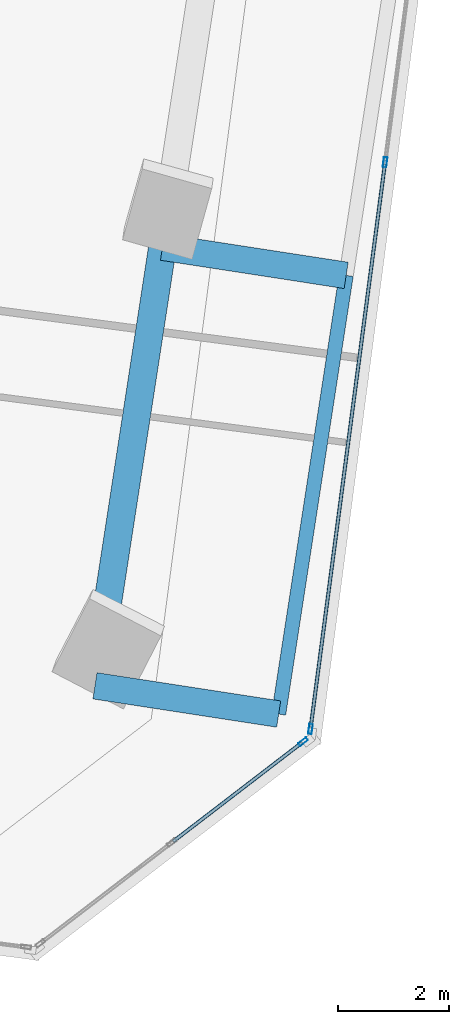
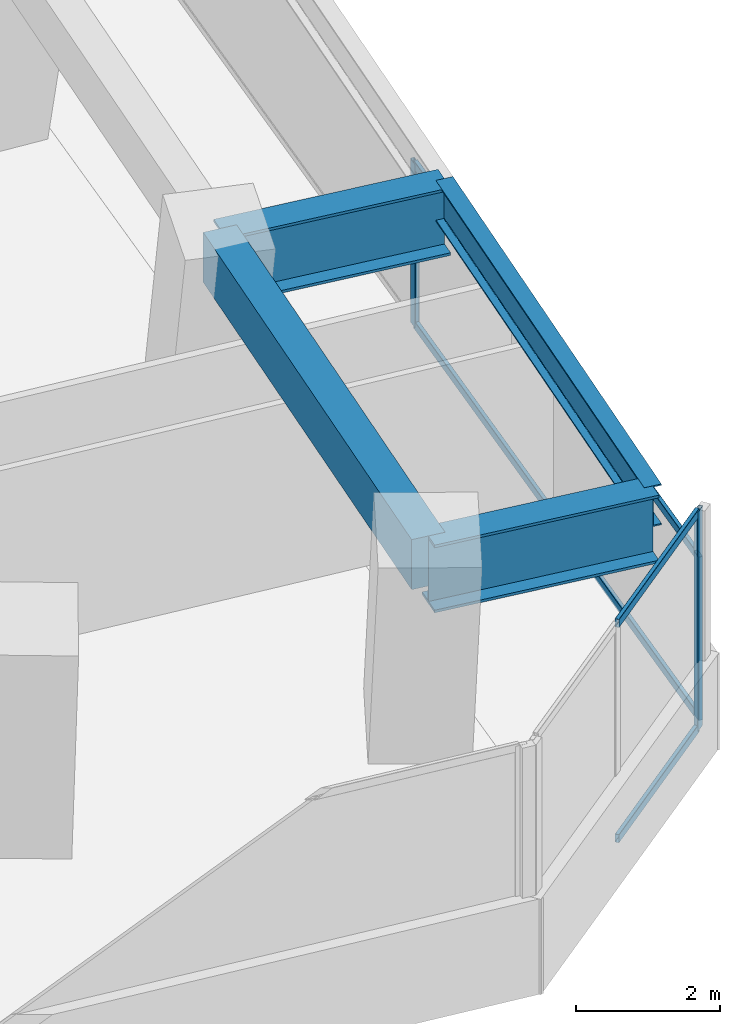
# One storey, part 11 of 24: 7 members, 4 beams, 2 elements without a shape of their own.
"""IFC4 building model written with IfcOpenShell, lengths in metres."""

from ifc_helpers import new_model, si_unit, direction, frame, origin, origin_2d, place, context, subcontext, project, spatial, rectangle, hollow_rectangle, i_section, extrude, source, transform, mapped, material, material_profile, profile_set, type_object, element, aggregate, save


model = new_model("IFC4")

# Units and contexts
model_context = context("Model", 3, precision=1e-05, world=origin(), true_north=direction((0.0, 1.0)))
body_context = subcontext(model_context, "Body", "Model", "MODEL_VIEW")
ifc_project = project(units=[si_unit("LENGTHUNIT", "METRE"), si_unit("AREAUNIT", "SQUARE_METRE"), si_unit("VOLUMEUNIT", "CUBIC_METRE"), si_unit("PLANEANGLEUNIT", "RADIAN"), si_unit("MASSUNIT", "GRAM", prefix="KILO")], contexts=[model_context])

# Site, building, storey
site_placement = place(None, origin())
site = spatial("IfcSite", under=ifc_project, at=site_placement, CompositionType="ELEMENT")
building_placement = place(site_placement, origin())
building = spatial("IfcBuilding", under=site, at=building_placement, Name="Torre Montelarca", CompositionType="ELEMENT")
storey_placement = place(building_placement, frame((0.0, 0.0, 66.39990234375)))
storey = spatial("IfcBuildingStorey", under=building, at=storey_placement, Name="L14", CompositionType="ELEMENT", Elevation=66.39990234375)

# Beams
ifc_material_1 = material(Name="Concrete C55/67", Category="concrete")
ifc_material_profile_1 = material_profile(ifc_material_1, rectangle(XDim=0.5, YDim=0.85009765625, at=origin_2d()), Name="RCB500X850", Category="concrete")
ifc_profile_set_1 = profile_set([ifc_material_profile_1], Name="Concrete C55/67")
beam_type_1 = type_object("IfcBeamType", Name="BM-SP-RC850-EXT", PredefinedType="SPANDREL", material=ifc_profile_set_1)
shared_shape_1 = source(origin(), body_context, "Body", "SweptSolid", [
    extrude(rectangle(XDim=0.5, YDim=0.85009765625, at=origin_2d()), origin(), (0.0, 0.0, 1.0), 8.0),
])
beam_1_placement = place(storey_placement, frame((58.3349609375, 18.236328125, 3.53515625), z_axis=(0.152128273075, 0.988360758292, 0.0), x_axis=(-0.988360758292, 0.152128273075, 0.0)))
element("IfcBeam", 1, at=beam_1_placement, inside=storey, type_object=beam_type_1, Name="L14 Grid Girder Y 24.0-32.0 at X=60.0", PredefinedType="SPANDREL", context=body_context, shape_type="MappedRepresentation", body=[
    mapped(shared_shape_1, transform((0.0, 0.0, 0.0), scale=1.0)),
])
ifc_material_2 = material(Name="Steel ASTM A572 Grade 50", Category="steel")
ifc_material_profile_2 = material_profile(ifc_material_2, i_section(OverallWidth=0.47998046875, OverallDepth=1.14990234375, WebThickness=0.02197265625, FlangeThickness=0.044921875, at=origin_2d()), Name="PG1150X480X22X45", Category="steel")
ifc_profile_set_2 = profile_set([ifc_material_profile_2], Name="Steel ASTM A572 Grade 50")
beam_type_2 = type_object("IfcBeamType", Name="BM-CG-PG1400-EXT", PredefinedType="USERDEFINED", material=ifc_profile_set_2)
shared_shape_2 = source(origin(), body_context, "Body", "SweptSolid", [
    extrude(i_section(OverallWidth=0.47998046875, OverallDepth=1.14990234375, WebThickness=0.02197265625, FlangeThickness=0.044921875, at=origin_2d()), origin(), (0.0, 0.0, 1.0), 3.349853515625),
])
beam_2_placement = place(storey_placement, frame((59.552001953125, 26.143310546875, 3.385009765625), z_axis=(0.988353153838, -0.152177670173, 0.0), x_axis=(0.152177670173, 0.988353153838, 0.0)))
element("IfcBeam", 2, at=beam_2_placement, inside=storey, type_object=beam_type_2, Name="L14 Sliding Tray Cantilever Girder East Y=32m (FLR)", ObjectType="CANTILEVER GIRDER", PredefinedType="USERDEFINED", context=body_context, shape_type="MappedRepresentation", body=[
    mapped(shared_shape_2, transform((0.0, 0.0, 0.0), scale=1.0)),
])
shared_shape_3 = source(origin(), body_context, "Body", "SweptSolid", [
    extrude(i_section(OverallWidth=0.47998046875, OverallDepth=1.14990234375, WebThickness=0.02197265625, FlangeThickness=0.044921875, at=origin_2d()), origin(), (0.0, 0.0, 1.0), 3.35009765625),
])
beam_3_placement = place(storey_placement, frame((58.3349609375, 18.236328125, 3.385009765625), z_axis=(0.988365799299, -0.152095518591, 0.0), x_axis=(0.152095518591, 0.988365799299, 0.0)))
element("IfcBeam", 3, at=beam_3_placement, inside=storey, type_object=beam_type_2, Name="L14 Sliding Tray Cantilever Girder East Y=24m (FLR)", ObjectType="CANTILEVER GIRDER", PredefinedType="USERDEFINED", context=body_context, shape_type="MappedRepresentation", body=[
    mapped(shared_shape_3, transform((0.0, 0.0, 0.0), scale=1.0)),
])
ifc_material_3 = material(Name="Steel ASTM A992 Grade 50", Category="steel")
ifc_material_profile_3 = material_profile(ifc_material_3, i_section(OverallWidth=0.256103515625, OverallDepth=0.693115234375, WebThickness=0.014404296875, FlangeThickness=0.023681640625, FilletRadius=0.01806640625, at=origin_2d()), Name="W690X170", Category="steel")
ifc_profile_set_3 = profile_set([ifc_material_profile_3], Name="Steel ASTM A992 Grade 50")
beam_type_3 = type_object("IfcBeamType", Name="BM-G-W690-EXT", PredefinedType="BEAM", material=ifc_profile_set_3)
shared_shape_4 = source(origin(), body_context, "Body", "SweptSolid", [
    extrude(i_section(OverallWidth=0.256103515625, OverallDepth=0.693115234375, WebThickness=0.014404296875, FlangeThickness=0.023681640625, FilletRadius=0.01806640625, at=origin_2d()), origin(), (0.0, 0.0, 1.0), 7.999755859375),
])
beam_4_placement = place(storey_placement, frame((61.64599609375, 17.726806640625, 3.614013671875), z_axis=(0.152103049696, 0.988364640339, 0.0), x_axis=(-0.988364640339, 0.152103049696, 0.0)))
element("IfcBeam", 4, at=beam_4_placement, inside=storey, type_object=beam_type_3, Name="L14 Sliding Tray Edge Girder East 24-32m (FLR)", PredefinedType="BEAM", context=body_context, shape_type="MappedRepresentation", body=[
    mapped(shared_shape_4, transform((0.0, 0.0, 0.0), scale=1.0)),
])

# Curtain wall, members
ifc_material_4 = material(Name="Insulated low-E laminated glass", Category="glass")
curtain_wall_type = type_object("IfcCurtainWallType", Name="CW-SYS-Z1", PredefinedType="USERDEFINED", material=ifc_material_4)
curtain_wall_1_placement = place(storey_placement, origin())
curtain_wall_1 = element("IfcCurtainWall", 5, at=curtain_wall_1_placement, inside=storey, type_object=curtain_wall_type, Name="L14 Curtain Wall Run CW-T3-L14-E05-B1", ObjectType="UNITISED GLAZING", PredefinedType="USERDEFINED")
ifc_material_5 = material(Name="Anodised aluminium AA 6063-T6", Category="aluminium")
ifc_material_profile_4 = material_profile(ifc_material_5, hollow_rectangle(XDim=0.06494140625, YDim=0.139892578125, WallThickness=0.00390625, InnerFilletRadius=0.00390625, OuterFilletRadius=0.008056640625, at=origin_2d()), Name="ALU65X140X4", Category="aluminium")
ifc_profile_set_4 = profile_set([ifc_material_profile_4], Name="Anodised aluminium AA 6063-T6")
member_type_1 = type_object("IfcMemberType", Name="CWT-ALU140", PredefinedType="USERDEFINED", material=ifc_profile_set_4)
shared_shape_5 = source(origin(), body_context, "Body", "SweptSolid", [
    extrude(hollow_rectangle(XDim=0.06494140625, YDim=0.139892578125, WallThickness=0.00390625, InnerFilletRadius=0.00390625, OuterFilletRadius=0.008056640625, at=origin_2d()), origin(), (0.0, 0.0, 1.0), 2.918701171875),
])
member_1_placement = place(storey_placement, frame((59.74560546875, 15.43115234375, 0.03271484375), z_axis=(0.793326237783, 0.608796748058, 0.0), x_axis=(-0.608796748058, 0.793326237783, 0.0)))
member_1 = element("IfcMember", 6, at=member_1_placement, type_object=member_type_1, Name="CW transom 2.1", ObjectType="TRANSOM", PredefinedType="USERDEFINED", context=body_context, shape_type="MappedRepresentation", body=[
    mapped(shared_shape_5, transform((0.0, 0.0, 0.0), scale=1.0)),
])
member_2_placement = place(storey_placement, frame((59.74560546875, 15.43115234375, 3.6875), z_axis=(0.793326237783, 0.608796748058, 0.0), x_axis=(-0.608796748058, 0.793326237783, 0.0)))
member_2 = element("IfcMember", 7, at=member_2_placement, type_object=member_type_1, Name="CW transom 2.2", ObjectType="TRANSOM", PredefinedType="USERDEFINED", context=body_context, shape_type="MappedRepresentation", body=[
    mapped(shared_shape_5, transform((0.0, 0.0, 0.0), scale=1.0)),
])

curtain_wall_2_placement = place(storey_placement, origin())
curtain_wall_2 = element("IfcCurtainWall", 8, at=curtain_wall_2_placement, inside=storey, type_object=curtain_wall_type, Name="L14 Curtain Wall Run CW-T3-L14-E06-B1", ObjectType="UNITISED GLAZING", PredefinedType="USERDEFINED")
shared_shape_6 = source(origin(), body_context, "Body", "SweptSolid", [
    extrude(hollow_rectangle(XDim=0.06494140625, YDim=0.139892578125, WallThickness=0.00390625, InnerFilletRadius=0.00390625, OuterFilletRadius=0.008056640625, at=origin_2d()), origin(), (0.0, 0.0, 1.0), 10.236572265625),
])
member_3_placement = place(storey_placement, frame((62.224609375, 17.4912109375, 0.03271484375), z_axis=(0.130531014, 0.991444226563, 0.0), x_axis=(-0.991444226563, 0.130531014, 0.0)))
member_3 = element("IfcMember", 9, at=member_3_placement, type_object=member_type_1, Name="CW transom 1.1", ObjectType="TRANSOM", PredefinedType="USERDEFINED", context=body_context, shape_type="MappedRepresentation", body=[
    mapped(shared_shape_6, transform((0.0, 0.0, 0.0), scale=1.0)),
])
member_4_placement = place(storey_placement, frame((62.224609375, 17.4912109375, 2.74267578125), z_axis=(0.130531014, 0.991444226563, 0.0), x_axis=(-0.991444226563, 0.130531014, 0.0)))
member_4 = element("IfcMember", 10, at=member_4_placement, type_object=member_type_1, Name="CW transom 1.2", ObjectType="TRANSOM", PredefinedType="USERDEFINED", context=body_context, shape_type="MappedRepresentation", body=[
    mapped(shared_shape_6, transform((0.0, 0.0, 0.0), scale=1.0)),
])

# Member
ifc_material_profile_5 = material_profile(ifc_material_5, hollow_rectangle(XDim=0.06494140625, YDim=0.179931640625, WallThickness=0.00390625, InnerFilletRadius=0.00390625, OuterFilletRadius=0.008056640625, at=origin_2d()), Name="ALU65X180X4", Category="aluminium")
ifc_profile_set_5 = profile_set([ifc_material_profile_5], Name="Anodised aluminium AA 6063-T6")
member_type_2 = type_object("IfcMemberType", Name="CWM-ALU180", PredefinedType="MULLION", material=ifc_profile_set_5)
shared_shape_7 = source(origin(), body_context, "Body", "SweptSolid", [
    extrude(hollow_rectangle(XDim=0.06494140625, YDim=0.179931640625, WallThickness=0.00390625, InnerFilletRadius=0.00390625, OuterFilletRadius=0.008056640625, at=origin_2d()), origin(), (0.0, 0.0, 1.0), 3.72021484375),
])
member_5_placement = place(storey_placement, frame((62.0869140625, 17.227783203125, 0.0), z_axis=(0.0, 0.0, 1.0), x_axis=(-0.608764194066, 0.793351218581, 0.0)))
member_5 = element("IfcMember", 11, at=member_5_placement, type_object=member_type_2, Name="CW mullion 3", PredefinedType="MULLION", context=body_context, shape_type="MappedRepresentation", body=[
    mapped(shared_shape_7, transform((0.0, 0.0, 0.0), scale=1.0)),
])

aggregate(curtain_wall_1, [member_5, member_1, member_2])

shared_shape_8 = source(origin(), body_context, "Body", "SweptSolid", [
    extrude(hollow_rectangle(XDim=0.06494140625, YDim=0.179931640625, WallThickness=0.00390625, InnerFilletRadius=0.00390625, OuterFilletRadius=0.008056640625, at=origin_2d()), origin(), (0.0, 0.0, 1.0), 2.775146484375),
])
member_6_placement = place(storey_placement, frame((62.220458984375, 17.458984375, 0.0), z_axis=(0.0, 0.0, 1.0), x_axis=(-0.991445845328, 0.130518718127, 0.0)))
member_6 = element("IfcMember", 12, at=member_6_placement, type_object=member_type_2, Name="CW mullion 1", PredefinedType="MULLION", context=body_context, shape_type="MappedRepresentation", body=[
    mapped(shared_shape_8, transform((0.0, 0.0, 0.0), scale=1.0)),
])

member_7_placement = place(storey_placement, frame((63.56494140625, 27.67236328125, 0.0), z_axis=(0.0, 0.0, 1.0), x_axis=(-0.991445845328, 0.130518718127, 0.0)))
member_7 = element("IfcMember", 13, at=member_7_placement, type_object=member_type_2, Name="CW mullion 2", PredefinedType="MULLION", context=body_context, shape_type="MappedRepresentation", body=[
    mapped(shared_shape_8, transform((0.0, 0.0, 0.0), scale=1.0)),
])

aggregate(curtain_wall_2, [member_6, member_7, member_3, member_4])

save(model, "model.ifc")
